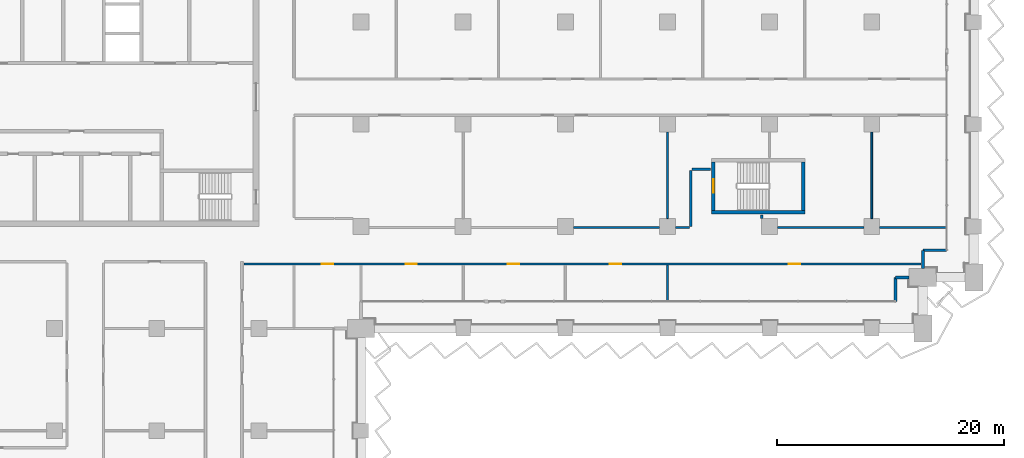
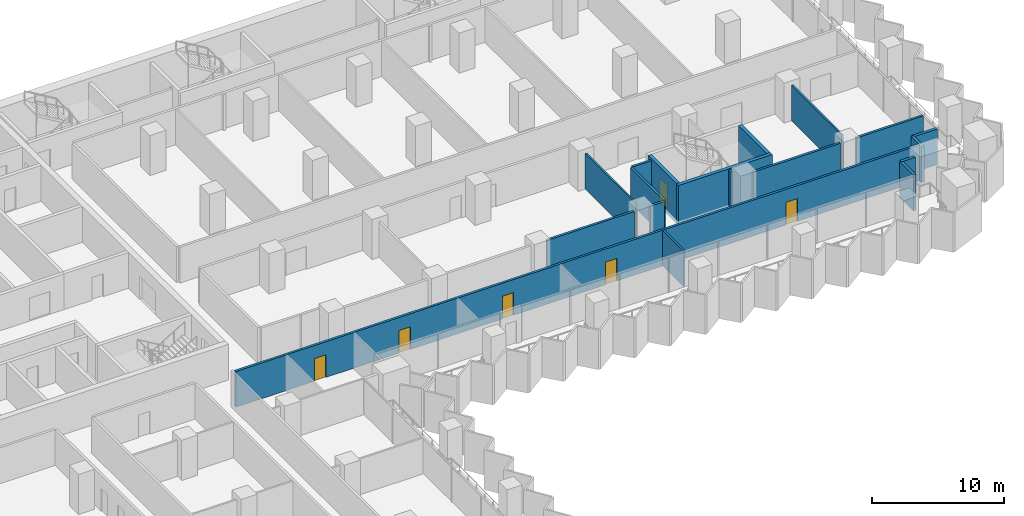
# One storey, part 13 of 29: 18 walls, 6 doors, 6 openings.
"""IFC4 building model written with IfcOpenShell, lengths in metres."""

import ifcopenshell
import ifcopenshell.guid

model = None  # the IFC model being written
_history = None  # IfcOwnerHistory: only IFC2X3 demands one
_inside = {}  # id of a spatial element -> (the spatial element, [elements in it])
_under = {}  # id of a project, library or spatial element -> (it, [spatial elements below it])
_declared = {}  # id of a project -> (the project, [libraries it declares])
_typed = {}  # id of a type object -> (the type object, [elements of that type])
_made_of = {}  # id of a material, layer set ... -> (it, [elements and type objects made of it])


def new_model(schema):
    """Start an empty IFC model of exactly this schema.

    Asked for "IFC4X3", IfcOpenShell would pick the latest addendum, in which some entities
    have other attributes; the version numbers below select the first issue.
    IFC2X3 requires an IfcOwnerHistory on every rooted entity: one is made here for all.
    """
    global model, _history
    if schema == "IFC4X3":
        model = ifcopenshell.file(schema_version=(4, 3, 0, 0))
    else:
        model = ifcopenshell.file(schema=schema)
    _inside.clear()
    _under.clear()
    _declared.clear()
    _typed.clear()
    _made_of.clear()
    _history = None
    if model.schema == "IFC2X3":
        org = make("IfcOrganization", Name="unknown")
        user = make(
            "IfcPersonAndOrganization",
            ThePerson=make("IfcPerson", FamilyName="unknown"),
            TheOrganization=org,
        )
        app = make(
            "IfcApplication",
            ApplicationDeveloper=org,
            Version="unknown",
            ApplicationFullName="unknown",
            ApplicationIdentifier="unknown",
        )
        _history = make(
            "IfcOwnerHistory",
            OwningUser=user,
            OwningApplication=app,
            ChangeAction="ADDED",
            CreationDate=0,
        )
    return model


def make(cls, **values):
    """One entity of the class cls with the attributes given. An attribute that is None is left unset."""
    return model.create_entity(
        cls, **{name: value for name, value in values.items() if value is not None}
    )


def rooted(cls, **values):
    """An entity with a GlobalId (a new one), such as an element, a storey or a relation."""
    return make(cls, GlobalId=ifcopenshell.guid.new(), OwnerHistory=_history, **values)


def si_unit(unit_type, name, prefix=None):
    """IfcSIUnit, for example si_unit("LENGTHUNIT", "METRE", prefix="MILLI")."""
    return make("IfcSIUnit", UnitType=unit_type, Prefix=prefix, Name=name)


def assignment(units):
    """IfcUnitAssignment: the units of a project."""
    return None if units is None else make("IfcUnitAssignment", Units=units)


def point(xyz):
    """IfcCartesianPoint."""
    return None if xyz is None else make("IfcCartesianPoint", Coordinates=xyz)


def direction(xyz):
    """IfcDirection."""
    return None if xyz is None else make("IfcDirection", DirectionRatios=xyz)


def frame(location, z_axis=None, x_axis=None):
    """IfcAxis2Placement3D, a coordinate frame: its origin and axes. An axis left out is left unset."""
    return make(
        "IfcAxis2Placement3D",
        Location=point(location),
        Axis=direction(z_axis),
        RefDirection=direction(x_axis),
    )


def frame_2d(location, x_axis=None):
    """IfcAxis2Placement2D, a coordinate frame in the plane: its origin and x axis."""
    return make(
        "IfcAxis2Placement2D", Location=point(location), RefDirection=direction(x_axis)
    )


def origin():
    """The frame at (0, 0, 0) with its axes left unset."""
    return frame((0.0, 0.0, 0.0))


def place(relative_to, where):
    """IfcLocalPlacement: puts the frame where relative to a parent placement (None: the world)."""
    return make(
        "IfcLocalPlacement", PlacementRelTo=relative_to, RelativePlacement=where
    )


def context(
    kind, dimensions, precision=None, world=None, true_north=None, identifier=None
):
    """IfcGeometricRepresentationContext, for example the 3D "Model" context."""
    return make(
        "IfcGeometricRepresentationContext",
        ContextIdentifier=identifier,
        ContextType=kind,
        CoordinateSpaceDimension=dimensions,
        Precision=precision,
        WorldCoordinateSystem=world,
        TrueNorth=true_north,
    )


def subcontext(parent, identifier, kind, view, scale=None):
    """IfcGeometricRepresentationSubContext, for example "Body" below "Model"."""
    return make(
        "IfcGeometricRepresentationSubContext",
        ContextIdentifier=identifier,
        ContextType=kind,
        ParentContext=parent,
        TargetScale=scale,
        TargetView=view,
    )


def project(units=None, contexts=None):
    """IfcProject with its units and contexts."""
    return rooted(
        "IfcProject",
        Name="project",
        RepresentationContexts=contexts,
        UnitsInContext=assignment(units),
    )


def spatial(cls, under=None, at=None, **own):
    """A site, building, storey or space (cls), placed at a placement, below another one or the project."""
    s = rooted(cls, ObjectPlacement=at, **own)
    if under is not None:
        _under.setdefault(under.id(), (under, []))[1].append(s)
    return s


def profile(cls, at=None, kind="AREA", **sizes):
    """A parametric profile (cls). Its sizes go by their IFC names, for example OverallWidth=200.0."""
    return make(cls, ProfileType=kind, Position=at, **sizes)


def rectangle(**sizes):
    """IfcRectangleProfileDef."""
    return profile("IfcRectangleProfileDef", **sizes)


def extrude(swept, where, along, depth):
    """IfcExtrudedAreaSolid: the profile swept, set in the frame where, extruded along a direction by depth."""
    return make(
        "IfcExtrudedAreaSolid",
        SweptArea=swept,
        Position=where,
        ExtrudedDirection=direction(along),
        Depth=depth,
    )


def shape(context_of_items, identifier, shape_type, items):
    """IfcShapeRepresentation: the items that make up one representation, for example the "Body"."""
    return make(
        "IfcShapeRepresentation",
        ContextOfItems=context_of_items,
        RepresentationIdentifier=identifier,
        RepresentationType=shape_type,
        Items=items,
    )


def material(Name=None, Category=None):
    """IfcMaterial."""
    return make("IfcMaterial", Name=Name, Category=Category)


def layer(
    of_material, thickness, ventilated=None, Name=None, Category=None, Priority=None
):
    """IfcMaterialLayer: one layer of a wall or slab, of a material (None: an air gap)."""
    return make(
        "IfcMaterialLayer",
        Material=of_material,
        LayerThickness=thickness,
        IsVentilated=ventilated,
        Name=Name,
        Category=Category,
        Priority=Priority,
    )


def layer_set(layers, Name=None):
    """IfcMaterialLayerSet."""
    return make("IfcMaterialLayerSet", MaterialLayers=layers, LayerSetName=Name)


def made_of(thing, what):
    """Note that an element or type object is made of a material, layer set ...; save() writes the relation."""
    if what is not None:
        _made_of.setdefault(what.id(), (what, []))[1].append(thing)
    return thing


def type_object(cls, material=None, **own):
    """A type object (cls), such as IfcWallType, which elements share."""
    return made_of(rooted(cls, **own), material)


def element(
    cls,
    number,
    at=None,
    inside=None,
    cuts=None,
    type_object=None,
    material=None,
    context=None,
    identifier="Body",
    shape_type=None,
    held_by="IfcProductDefinitionShape",
    body=None,
    shapes=None,
    **own,
):
    """One element of the class cls, such as IfcWall. Its Tag is "e" and its number.

    at: its placement. inside: the storey or other place that contains it. cuts: it is an
    opening in that element (IfcRelVoidsElement). A single representation is given by context,
    identifier, shape_type and body (its items); several are given by shapes. held_by: the class
    of the entity that holds the representations. save() writes the other relations.
    """
    e = rooted(cls, Tag="e%d" % number, ObjectPlacement=at, **own)
    if body is not None:
        shapes = [shape(context, identifier, shape_type, body)]
    if shapes is not None:
        e.Representation = make(held_by, Representations=shapes)
    if inside is not None:
        _inside.setdefault(inside.id(), (inside, []))[1].append(e)
    if cuts is not None:
        rooted(
            "IfcRelVoidsElement", RelatingBuildingElement=cuts, RelatedOpeningElement=e
        )
    if type_object is not None:
        _typed.setdefault(type_object.id(), (type_object, []))[1].append(e)
    return made_of(e, material)


def fill(opening, filler):
    """IfcRelFillsElement: the door or window that sits in an opening."""
    return rooted(
        "IfcRelFillsElement",
        RelatingOpeningElement=opening,
        RelatedBuildingElement=filler,
    )


def aggregate(whole, parts):
    """IfcRelAggregates: a whole, such as a stair, and the parts it consists of."""
    return rooted("IfcRelAggregates", RelatingObject=whole, RelatedObjects=parts)


def save(model, path):
    """Write the relations noted so far, then the file.

    IfcRelAggregates (storeys below a building ...), IfcRelContainedInSpatialStructure (elements
    in a storey), IfcRelDefinesByType, IfcRelAssociatesMaterial and IfcRelDeclares: one each for
    every whole, place, type object, material and project.
    """
    for whole, parts in _under.values():
        aggregate(whole, parts)
    for where, things in _inside.values():
        rooted(
            "IfcRelContainedInSpatialStructure",
            RelatedElements=things,
            RelatingStructure=where,
        )
    for kind, things in _typed.values():
        rooted("IfcRelDefinesByType", RelatedObjects=things, RelatingType=kind)
    for what, things in _made_of.values():
        rooted("IfcRelAssociatesMaterial", RelatedObjects=things, RelatingMaterial=what)
    for by, libraries in _declared.values():
        rooted("IfcRelDeclares", RelatingContext=by, RelatedDefinitions=libraries)
    model.write(path)


model = new_model("IFC4")

# Units and contexts
model_context = context("Model", 3, precision=1e-05, world=origin(), true_north=direction((0.0, 1.0)))
body_context = subcontext(model_context, "Body", "Model", "MODEL_VIEW")
ifc_project = project(units=[si_unit("LENGTHUNIT", "METRE"), si_unit("AREAUNIT", "SQUARE_METRE"), si_unit("VOLUMEUNIT", "CUBIC_METRE"), si_unit("PLANEANGLEUNIT", "RADIAN"), si_unit("MASSUNIT", "GRAM", prefix="KILO")], contexts=[model_context])

# Site, building, storey
site_placement = place(None, origin())
site = spatial("IfcSite", under=ifc_project, at=site_placement, CompositionType="ELEMENT")
building_placement = place(site_placement, origin())
building = spatial("IfcBuilding", under=site, at=building_placement, Name="Hunhe Ridgeline Campus", CompositionType="ELEMENT")
storey_placement = place(building_placement, frame((0.0, 0.0, 50.60009765625)))
storey = spatial("IfcBuildingStorey", under=building, at=storey_placement, Name="L11", CompositionType="ELEMENT", Elevation=50.60009765625)

# Walls
ifc_material_1 = material(Name="Concrete C30", Category="concrete")
ifc_layer_1 = layer(ifc_material_1, 0.25)
ifc_layer_set_1 = layer_set([ifc_layer_1], Name="Corner return wall 250 Concrete C30")
wall_type_1 = type_object("IfcWallType", Name="Corner return wall 250 Concrete C30", PredefinedType="SOLIDWALL", material=ifc_layer_set_1)
wall_1_placement = place(storey_placement, frame((92.09912109375, 56.40087890625, 0.0), z_axis=(0.0, 0.0, 1.0), x_axis=(0.00011626555, 0.999999993241, 0.0)))
element("IfcWall", 1, at=wall_1_placement, inside=storey, type_object=wall_type_1, Name="Corner return wall 4", PredefinedType="SOLIDWALL", context=body_context, shape_type="SweptSolid", body=[
    extrude(rectangle(XDim=2.099853515625, YDim=0.25, at=frame_2d((1.0498046875, 0.0))), origin(), (0.0, 0.0, 1.0), 3.2998046875),
])
wall_2_placement = place(storey_placement, frame((92.099365234375, 58.500732421875, 0.0), z_axis=(0.0, 0.0, 1.0), x_axis=(1.0, 0.0, 0.0)))
element("IfcWall", 2, at=wall_2_placement, inside=storey, type_object=wall_type_1, Name="Corner return wall 5", PredefinedType="SOLIDWALL", context=body_context, shape_type="SweptSolid", body=[
    extrude(rectangle(XDim=1.20068359375, YDim=0.25, at=frame_2d((0.600341796875, 0.0))), origin(), (0.0, 0.0, 1.0), 3.2998046875),
])
wall_3_placement = place(storey_placement, frame((94.4990234375, 59.300048828125, 0.0), z_axis=(0.0, 0.0, 1.0), x_axis=(0.00015253203, 0.999999988367, 0.0)))
element("IfcWall", 3, at=wall_3_placement, inside=storey, type_object=wall_type_1, Name="Corner return wall 6", PredefinedType="SOLIDWALL", context=body_context, shape_type="SweptSolid", body=[
    extrude(rectangle(XDim=1.6005859375, YDim=0.25, at=frame_2d((0.80029296875, 0.0))), origin(), (0.0, 0.0, 1.0), 3.2998046875),
])
wall_4_placement = place(storey_placement, frame((94.499267578125, 60.900634765625, 0.0), z_axis=(0.0, 0.0, 1.0), x_axis=(0.999999993241, 0.00011626555, 0.0)))
element("IfcWall", 4, at=wall_4_placement, inside=storey, type_object=wall_type_1, Name="Corner return wall 7", PredefinedType="SOLIDWALL", context=body_context, shape_type="SweptSolid", body=[
    extrude(rectangle(XDim=2.099853515625, YDim=0.25, at=frame_2d((1.0498046875, 0.0))), origin(), (0.0, 0.0, 1.0), 3.2998046875),
])

# Wall, openings, doors
ifc_material_2 = material(Name="Gypsum board partition")
ifc_layer_2 = layer(ifc_material_2, 0.199951171875)
ifc_layer_set_2 = layer_set([ifc_layer_2], Name="Corridor partition 200 gypsum board on steel studs")
wall_type_2 = type_object("IfcWallType", Name="Corridor partition 200 gypsum board on steel studs", PredefinedType="PARTITIONING", material=ifc_layer_set_2)
wall_5_placement = place(storey_placement, frame((94.35400390625, 59.699951171875, 0.0), z_axis=(0.0, 0.0, 1.0), x_axis=(-1.0, 0.0, 0.0)))
wall_5 = element("IfcWall", 5, at=wall_5_placement, inside=storey, type_object=wall_type_2, Name="F-L11-wall-037", PredefinedType="PARTITIONING", context=body_context, shape_type="SweptSolid", body=[
    extrude(rectangle(XDim=59.682373046875, YDim=0.199951171875, at=frame_2d((29.84130859375, 0.0))), origin(), (0.0, 0.0, 1.0), 3.2998046875),
])
opening_1_placement = place(wall_5_placement, frame((51.8046875, 0.0, 0.0)))
opening_1 = element("IfcOpeningElement", 6, at=opening_1_placement, cuts=wall_5, Name="Opening RD1-023", PredefinedType="OPENING", context=body_context, shape_type="SweptSolid", body=[
    extrude(rectangle(XDim=1.0, YDim=2.10009765625, at=frame_2d((0.5, 1.050048828125))), frame((0.0, 0.10009765625, 0.0), z_axis=(0.0, -1.0, 0.0), x_axis=(1.0, 0.0, 0.0)), (0.0, 0.0, 1.0), 0.199951171875),
])
opening_2_placement = place(wall_5_placement, frame((44.4267578125, 0.0, 0.0)))
opening_2 = element("IfcOpeningElement", 7, at=opening_2_placement, cuts=wall_5, Name="Opening RD1-024", PredefinedType="OPENING", context=body_context, shape_type="SweptSolid", body=[
    extrude(rectangle(XDim=1.0, YDim=2.10009765625, at=frame_2d((0.5, 1.050048828125))), frame((0.0, 0.10009765625, 0.0), z_axis=(0.0, -1.0, 0.0), x_axis=(1.0, 0.0, 0.0)), (0.0, 0.0, 1.0), 0.199951171875),
])
opening_3_placement = place(wall_5_placement, frame((35.423095703125, 0.0, 0.0)))
opening_3 = element("IfcOpeningElement", 8, at=opening_3_placement, cuts=wall_5, Name="Opening RD1-025", PredefinedType="OPENING", context=body_context, shape_type="SweptSolid", body=[
    extrude(rectangle(XDim=1.0, YDim=2.10009765625, at=frame_2d((0.5, 1.050048828125))), frame((0.0, 0.10009765625, 0.0), z_axis=(0.0, -1.0, 0.0), x_axis=(1.0, 0.0, 0.0)), (0.0, 0.0, 1.0), 0.199951171875),
])
opening_4_placement = place(wall_5_placement, frame((26.419677734375, 0.0, 0.0)))
opening_4 = element("IfcOpeningElement", 9, at=opening_4_placement, cuts=wall_5, Name="Opening RD1-026", PredefinedType="OPENING", context=body_context, shape_type="SweptSolid", body=[
    extrude(rectangle(XDim=1.0, YDim=2.10009765625, at=frame_2d((0.5, 1.050048828125))), frame((0.0, 0.10009765625, 0.0), z_axis=(0.0, -1.0, 0.0), x_axis=(1.0, 0.0, 0.0)), (0.0, 0.0, 1.0), 0.199951171875),
])
opening_5_placement = place(wall_5_placement, frame((10.66357421875, 0.0, 0.0)))
opening_5 = element("IfcOpeningElement", 10, at=opening_5_placement, cuts=wall_5, Name="Opening RD1-027", PredefinedType="OPENING", context=body_context, shape_type="SweptSolid", body=[
    extrude(rectangle(XDim=1.0, YDim=2.10009765625, at=frame_2d((0.5, 1.050048828125))), frame((0.0, 0.10009765625, 0.0), z_axis=(0.0, -1.0, 0.0), x_axis=(1.0, 0.0, 0.0)), (0.0, 0.0, 1.0), 0.199951171875),
])
ifc_material_3 = material(Name="Timber door leaf", Category="wood")
door_type_1 = type_object("IfcDoorType", Name="Single fire door 1000x2100 timber FD60", OperationType="NOTDEFINED", PredefinedType="DOOR", material=ifc_material_3)
door_1_placement = place(opening_1_placement, origin())
door_1 = element("IfcDoor", 11, at=door_1_placement, inside=storey, type_object=door_type_1, Name="F-L11-door-023", OperationType="SINGLE_SWING_LEFT", OverallHeight=2.10009765625, OverallWidth=1.0, PredefinedType="DOOR", context=body_context, shape_type="SweptSolid", body=[
    extrude(rectangle(XDim=1.0, YDim=2.10009765625, at=frame_2d((0.5, 1.050048828125))), frame((0.0, 0.02490234375, 0.0), z_axis=(0.0, -1.0, 0.0), x_axis=(1.0, 0.0, 0.0)), (0.0, 0.0, 1.0), 0.050048828125),
])
fill(opening_1, door_1)
door_2_placement = place(opening_2_placement, origin())
door_2 = element("IfcDoor", 12, at=door_2_placement, inside=storey, type_object=door_type_1, Name="F-L11-door-024", OperationType="SINGLE_SWING_LEFT", OverallHeight=2.10009765625, OverallWidth=1.0, PredefinedType="DOOR", context=body_context, shape_type="SweptSolid", body=[
    extrude(rectangle(XDim=1.0, YDim=2.10009765625, at=frame_2d((0.5, 1.050048828125))), frame((0.0, 0.02490234375, 0.0), z_axis=(0.0, -1.0, 0.0), x_axis=(1.0, 0.0, 0.0)), (0.0, 0.0, 1.0), 0.050048828125),
])
fill(opening_2, door_2)
door_3_placement = place(opening_3_placement, origin())
door_3 = element("IfcDoor", 13, at=door_3_placement, inside=storey, type_object=door_type_1, Name="F-L11-door-025", OperationType="SINGLE_SWING_RIGHT", OverallHeight=2.10009765625, OverallWidth=1.0, PredefinedType="DOOR", context=body_context, shape_type="SweptSolid", body=[
    extrude(rectangle(XDim=1.0, YDim=2.10009765625, at=frame_2d((0.5, 1.050048828125))), frame((0.0, 0.02490234375, 0.0), z_axis=(0.0, -1.0, 0.0), x_axis=(1.0, 0.0, 0.0)), (0.0, 0.0, 1.0), 0.050048828125),
])
fill(opening_3, door_3)
door_4_placement = place(opening_4_placement, origin())
door_4 = element("IfcDoor", 14, at=door_4_placement, inside=storey, type_object=door_type_1, Name="F-L11-door-026", OperationType="SINGLE_SWING_LEFT", OverallHeight=2.10009765625, OverallWidth=1.0, PredefinedType="DOOR", context=body_context, shape_type="SweptSolid", body=[
    extrude(rectangle(XDim=1.0, YDim=2.10009765625, at=frame_2d((0.5, 1.050048828125))), frame((0.0, 0.02490234375, 0.0), z_axis=(0.0, -1.0, 0.0), x_axis=(1.0, 0.0, 0.0)), (0.0, 0.0, 1.0), 0.050048828125),
])
fill(opening_4, door_4)
door_5_placement = place(opening_5_placement, origin())
door_5 = element("IfcDoor", 15, at=door_5_placement, inside=storey, type_object=door_type_1, Name="F-L11-door-027", OperationType="SINGLE_SWING_LEFT", OverallHeight=2.10009765625, OverallWidth=1.0, PredefinedType="DOOR", context=body_context, shape_type="SweptSolid", body=[
    extrude(rectangle(XDim=1.0, YDim=2.10009765625, at=frame_2d((0.5, 1.050048828125))), frame((0.0, 0.02490234375, 0.0), z_axis=(0.0, -1.0, 0.0), x_axis=(1.0, 0.0, 0.0)), (0.0, 0.0, 1.0), 0.050048828125),
])
fill(opening_5, door_5)

# Walls
wall_6_placement = place(storey_placement, frame((63.699951171875, 62.89990234375, 0.0), z_axis=(0.0, 0.0, 1.0), x_axis=(1.0, 0.0, 0.0)))
element("IfcWall", 16, at=wall_6_placement, inside=storey, type_object=wall_type_2, Name="F-L11-wall-042", PredefinedType="PARTITIONING", context=body_context, shape_type="SweptSolid", body=[
    extrude(rectangle(XDim=7.60009765625, YDim=0.199951171875, at=frame_2d((3.800048828125, 0.0))), origin(), (0.0, 0.0, 1.0), 3.2998046875),
])
wall_7_placement = place(storey_placement, frame((72.699951171875, 62.89990234375, 0.0), z_axis=(0.0, 0.0, 1.0), x_axis=(1.0, 0.0, 0.0)))
element("IfcWall", 17, at=wall_7_placement, inside=storey, type_object=wall_type_2, Name="F-L11-wall-043", PredefinedType="PARTITIONING", context=body_context, shape_type="SweptSolid", body=[
    extrude(rectangle(XDim=1.25, YDim=0.199951171875, at=frame_2d((0.625, 0.0))), origin(), (0.0, 0.0, 1.0), 3.2998046875),
])
wall_8_placement = place(storey_placement, frame((81.699951171875, 62.89990234375, 0.0), z_axis=(0.0, 0.0, 1.0), x_axis=(1.0, 0.0, 0.0)))
element("IfcWall", 18, at=wall_8_placement, inside=storey, type_object=wall_type_2, Name="F-L11-wall-044", PredefinedType="PARTITIONING", context=body_context, shape_type="SweptSolid", body=[
    extrude(rectangle(XDim=7.60009765625, YDim=0.199951171875, at=frame_2d((3.800048828125, 0.0))), origin(), (0.0, 0.0, 1.0), 3.2998046875),
])
wall_9_placement = place(storey_placement, frame((90.699951171875, 62.89990234375, 0.0), z_axis=(0.0, 0.0, 1.0), x_axis=(1.0, 0.0, 0.0)))
element("IfcWall", 19, at=wall_9_placement, inside=storey, type_object=wall_type_2, Name="F-L11-wall-045", PredefinedType="PARTITIONING", context=body_context, shape_type="SweptSolid", body=[
    extrude(rectangle(XDim=5.844970703125, YDim=0.199951171875, at=frame_2d((2.92236328125, 0.0))), origin(), (0.0, 0.0, 1.0), 3.2998046875),
])
wall_10_placement = place(storey_placement, frame((74.14990234375, 68.050048828125, 0.0), z_axis=(0.0, 0.0, 1.0), x_axis=(1.0, 0.0, 0.0)))
element("IfcWall", 20, at=wall_10_placement, inside=storey, type_object=wall_type_2, Name="F-L11-wall-048", PredefinedType="PARTITIONING", context=body_context, shape_type="SweptSolid", body=[
    extrude(rectangle(XDim=1.64599609375, YDim=0.199951171875, at=frame_2d((0.822998046875, 0.0))), origin(), (0.0, 0.0, 1.0), 3.2998046875),
])
wall_11_placement = place(storey_placement, frame((74.050048828125, 63.0, 0.0), z_axis=(0.0, 0.0, 1.0), x_axis=(0.0, 1.0, 0.0)))
element("IfcWall", 21, at=wall_11_placement, inside=storey, type_object=wall_type_2, Name="F-L11-wall-084", PredefinedType="PARTITIONING", context=body_context, shape_type="SweptSolid", body=[
    extrude(rectangle(XDim=4.949951171875, YDim=0.199951171875, at=frame_2d((2.47509765625, 0.0))), origin(), (0.0, 0.0, 1.0), 3.2998046875),
])
wall_12_placement = place(storey_placement, frame((80.300048828125, 63.99609375, 0.0), z_axis=(0.0, 0.0, 1.0), x_axis=(0.0, -1.0, 0.0)))
element("IfcWall", 22, at=wall_12_placement, inside=storey, type_object=wall_type_2, Name="F-L11-wall-086", PredefinedType="PARTITIONING", context=body_context, shape_type="SweptSolid", body=[
    extrude(rectangle(XDim=0.296142578125, YDim=0.199951171875, at=frame_2d((0.14794921875, 0.0))), origin(), (0.0, 0.0, 1.0), 3.2998046875),
])
ifc_layer_3 = layer(ifc_material_2, 0.14990234375)
ifc_layer_set_3 = layer_set([ifc_layer_3], Name="Room partition 150 gypsum board on steel studs")
wall_type_3 = type_object("IfcWallType", Name="Room partition 150 gypsum board on steel studs", PredefinedType="PARTITIONING", material=ifc_layer_set_3)
wall_13_placement = place(storey_placement, frame((72.0, 59.60009765625, 0.0), z_axis=(0.0, 0.0, 1.0), x_axis=(0.0, -1.0, 0.0)))
element("IfcWall", 23, at=wall_13_placement, inside=storey, type_object=wall_type_3, Name="F-L11-wall-082", PredefinedType="PARTITIONING", context=body_context, shape_type="SweptSolid", body=[
    extrude(rectangle(XDim=3.145263671875, YDim=0.14990234375, at=frame_2d((1.57275390625, 0.0))), origin(), (0.0, 0.0, 1.0), 3.2998046875),
])
for number, where, z_axis, x_axis, name in (
    (24, (72.0, 71.300048828125, 0.0), (0.0, 0.0, 1.0), (0.0, -1.0, 0.0), "F-L11-wall-083"),
    (25, (90.0, 71.300048828125, 0.0), (0.0, 0.0, 1.0), (0.0, -1.0, 0.0), "F-L11-wall-091"),
):
    element("IfcWall", number, at=place(storey_placement, frame(where, z_axis=z_axis, x_axis=x_axis)), inside=storey, type_object=wall_type_3, Name=name, PredefinedType="PARTITIONING", context=body_context, shape_type="SweptSolid", body=[
        extrude(rectangle(XDim=7.60009765625, YDim=0.14990234375, at=frame_2d((3.800048828125, 0.0))), origin(), (0.0, 0.0, 1.0), 3.2998046875),
    ])
ifc_material_4 = material(Name="Concrete C80", Category="concrete")
ifc_layer_4 = layer(ifc_material_4, 0.300048828125)
ifc_layer_set_4 = layer_set([ifc_layer_4], Name="Stair wall 300 reinforced concrete C80")
wall_type_4 = type_object("IfcWallType", Name="Stair wall 300 reinforced concrete C80", PredefinedType="SOLIDWALL", material=ifc_layer_set_4)
wall_14_placement = place(storey_placement, frame((75.89990234375, 64.25, -0.400146484375), z_axis=(0.0, 0.0, 1.0), x_axis=(1.0, 0.0, 0.0)))
element("IfcWall", 26, at=wall_14_placement, inside=storey, type_object=wall_type_4, Name="L11 core wall 8", PredefinedType="SOLIDWALL", context=body_context, shape_type="SweptSolid", body=[
    extrude(rectangle(XDim=8.2001953125, YDim=0.300048828125, at=frame_2d((4.10009765625, 0.0))), origin(), (0.0, 0.0, 1.0), 3.699951171875),
])

# Wall, opening, door
wall_15_placement = place(storey_placement, frame((76.050048828125, 64.39990234375, -0.400146484375), z_axis=(0.0, 0.0, 1.0), x_axis=(0.0, 1.0, 0.0)))
wall_15 = element("IfcWall", 27, at=wall_15_placement, inside=storey, type_object=wall_type_4, Name="L11 core wall 71", PredefinedType="SOLIDWALL", context=body_context, shape_type="SweptSolid", body=[
    extrude(rectangle(XDim=4.300048828125, YDim=0.300048828125, at=frame_2d((2.14990234375, 0.0))), origin(), (0.0, 0.0, 1.0), 3.699951171875),
])
opening_6_placement = place(wall_15_placement, frame((1.550048828125, 0.0, 0.39990234375)))
opening_6 = element("IfcOpeningElement", 28, at=opening_6_placement, cuts=wall_15, Name="Opening CD24", PredefinedType="OPENING", context=body_context, shape_type="SweptSolid", body=[
    extrude(rectangle(XDim=1.199951171875, YDim=2.10009765625, at=frame_2d((0.60009765625, 1.050048828125))), frame((0.0, 0.14990234375, 0.0), z_axis=(0.0, -1.0, 0.0), x_axis=(1.0, 0.0, 0.0)), (0.0, 0.0, 1.0), 0.300048828125),
])
ifc_material_5 = material(Name="Hollow metal fire door leaf")
door_type_2 = type_object("IfcDoorType", Name="Stair door 1200x2100 FD60", OperationType="SINGLE_SWING_LEFT", PredefinedType="DOOR", material=ifc_material_5)
door_6_placement = place(opening_6_placement, origin())
door_6 = element("IfcDoor", 29, at=door_6_placement, inside=storey, type_object=door_type_2, Name="L11 door E5", OperationType="SINGLE_SWING_RIGHT", OverallHeight=2.10009765625, OverallWidth=1.199951171875, PredefinedType="DOOR", context=body_context, shape_type="SweptSolid", body=[
    extrude(rectangle(XDim=1.199951171875, YDim=2.10009765625, at=frame_2d((0.60009765625, 1.050048828125))), frame((0.0, 0.02490234375, 0.0), z_axis=(0.0, -1.0, 0.0), x_axis=(1.0, 0.0, 0.0)), (0.0, 0.0, 1.0), 0.050048828125),
])
fill(opening_6, door_6)

# Wall
wall_16_placement = place(storey_placement, frame((83.949951171875, 64.39990234375, -0.400146484375), z_axis=(0.0, 0.0, 1.0), x_axis=(0.0, 1.0, 0.0)))
element("IfcWall", 30, at=wall_16_placement, inside=storey, type_object=wall_type_4, Name="L11 core wall 72", PredefinedType="SOLIDWALL", context=body_context, shape_type="SweptSolid", body=[
    extrude(rectangle(XDim=4.300048828125, YDim=0.300048828125, at=frame_2d((2.14990234375, 0.0))), origin(), (0.0, 0.0, 1.0), 3.699951171875),
])

save(model, "model.ifc")
